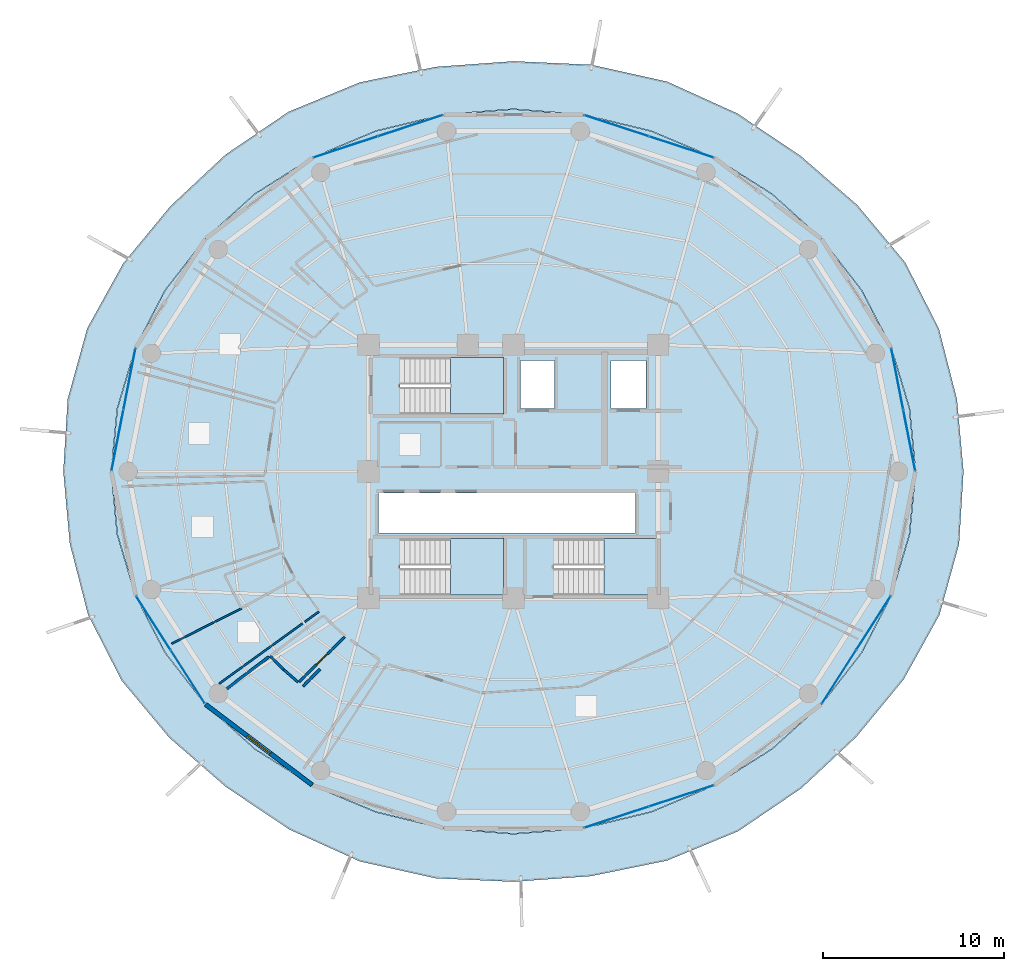
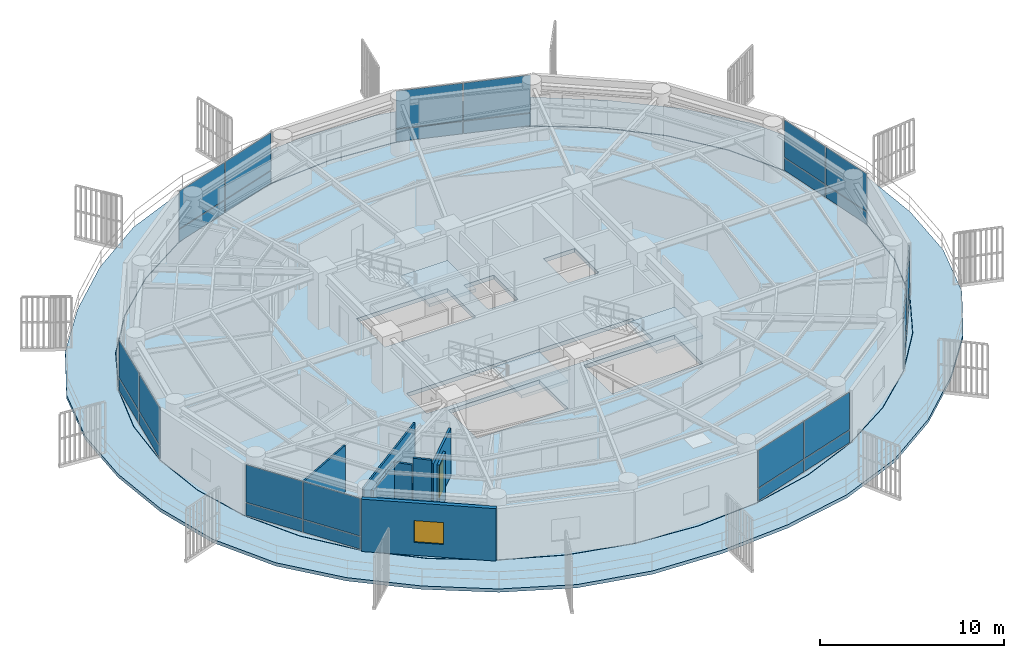
# One storey, part 22 of 30: 28 plates, 8 walls, 5 slabs, 1 door, 1 window, 2 openings, 10 elements without a shape of their own.
"""IFC4 building model written with IfcOpenShell, lengths in metres."""

from ifc_helpers import new_model, si_unit, direction, frame, frame_2d, origin, origin_2d, place, context, subcontext, project, spatial, polyline, rectangle, outline, extrude, source, transform, mapped, material, layer, layer_set, type_object, element, fill, aggregate, save


model = new_model("IFC4")

# Units and contexts
model_context = context("Model", 3, precision=1e-05, world=origin(), true_north=direction((0.0, 1.0)))
body_context = subcontext(model_context, "Body", "Model", "MODEL_VIEW")
ifc_project = project(units=[si_unit("LENGTHUNIT", "METRE"), si_unit("AREAUNIT", "SQUARE_METRE"), si_unit("VOLUMEUNIT", "CUBIC_METRE"), si_unit("PLANEANGLEUNIT", "RADIAN"), si_unit("MASSUNIT", "GRAM", prefix="KILO")], contexts=[model_context])

# Site, building, storey
site_placement = place(None, origin())
site = spatial("IfcSite", under=ifc_project, at=site_placement, CompositionType="ELEMENT")
building_placement = place(site_placement, origin())
building = spatial("IfcBuilding", under=site, at=building_placement, Name="Kelanora Arch Commons", CompositionType="ELEMENT")
storey_placement = place(building_placement, frame((0.0, 0.0, 215.699951171875)))
storey = spatial("IfcBuildingStorey", under=building, at=storey_placement, Name="L55", CompositionType="ELEMENT", Elevation=215.699951171875)

# Stair, slab
ifc_material_1 = material(Name="Concrete C40/50", Category="concrete")
stair_type = type_object("IfcStairType", Name="STR-DL-375", PredefinedType="HALF_TURN_STAIR", material=ifc_material_1)
stair_1_placement = place(storey_placement, origin())
stair_1 = element("IfcStair", 1, at=stair_1_placement, inside=storey, type_object=stair_type, Name="L55 ST-T1", PredefinedType="HALF_TURN_STAIR")
ifc_layer_1 = layer(ifc_material_1, 0.199951171875)
ifc_layer_set_1 = layer_set([ifc_layer_1], Name="Concrete C40/50")
slab_type_1 = type_object("IfcSlabType", Name="SLB-STAIR-LND", PredefinedType="LANDING", material=ifc_layer_set_1)
slab_1_placement = place(storey_placement, frame((0.0, 0.0, 1.675048828125)))
slab_1 = element("IfcSlab", 2, at=slab_1_placement, type_object=slab_type_1, Name="ST-T1 landing 1", PredefinedType="LANDING", context=body_context, shape_type="SweptSolid", body=[
    extrude(outline(polyline([(70.52001953125, 61.179931640625), (73.43994140625, 61.179931640625), (73.43994140625, 64.2900390625), (70.52001953125, 64.2900390625), (70.52001953125, 61.179931640625)])), origin(), (0.0, 0.0, 1.0), 0.199951171875),
])
aggregate(stair_1, [slab_1])

stair_2_placement = place(storey_placement, origin())
stair_2 = element("IfcStair", 3, at=stair_2_placement, inside=storey, type_object=stair_type, Name="L55 ST-T2", PredefinedType="HALF_TURN_STAIR")
slab_2_placement = place(storey_placement, frame((0.0, 0.0, 1.675048828125)))
slab_2 = element("IfcSlab", 4, at=slab_2_placement, type_object=slab_type_1, Name="ST-T2 landing 1", PredefinedType="LANDING", context=body_context, shape_type="SweptSolid", body=[
    extrude(outline(polyline([(79.0, 51.179931640625), (81.919921875, 51.179931640625), (81.919921875, 54.2900390625), (79.0, 54.2900390625), (79.0, 51.179931640625)])), origin(), (0.0, 0.0, 1.0), 0.199951171875),
])
aggregate(stair_2, [slab_2])

stair_3_placement = place(storey_placement, origin())
stair_3 = element("IfcStair", 5, at=stair_3_placement, inside=storey, type_object=stair_type, Name="L55 ST-T3", PredefinedType="HALF_TURN_STAIR")
slab_3_placement = place(storey_placement, frame((0.0, 0.0, 1.675048828125)))
slab_3 = element("IfcSlab", 6, at=slab_3_placement, type_object=slab_type_1, Name="ST-T3 landing 1", PredefinedType="LANDING", context=body_context, shape_type="SweptSolid", body=[
    extrude(outline(polyline([(70.52001953125, 51.179931640625), (73.43994140625, 51.179931640625), (73.43994140625, 54.2900390625), (70.52001953125, 54.2900390625), (70.52001953125, 51.179931640625)])), origin(), (0.0, 0.0, 1.0), 0.199951171875),
])
aggregate(stair_3, [slab_3])

# Slabs
ifc_layer_2 = layer(ifc_material_1, 0.260009765625)
ifc_layer_set_2 = layer_set([ifc_layer_2], Name="Concrete C40/50")
slab_type_2 = type_object("IfcSlabType", Name="SLB-TWR-TYP", PredefinedType="FLOOR", material=ifc_layer_set_2)
slab_4_placement = place(storey_placement, frame((0.0, 0.0, -0.260009765625)))
element("IfcSlab", 7, at=slab_4_placement, inside=storey, type_object=slab_type_2, Name="Tower Floor Slab L55", PredefinedType="FLOOR", context=body_context, shape_type="SweptSolid", body=[
    extrude(outline(polyline([(96.199951171875, 58.0), (95.86279296875, 61.472900390625), (94.861083984375, 64.84033203125), (93.225830078125, 68.0), (91.006103515625, 70.855712890625), (88.27001953125, 73.32080078125), (85.10009765625, 75.320556640625), (81.5927734375, 76.7939453125), (77.85498046875, 77.6962890625), (74.0, 78.0), (70.14501953125, 77.6962890625), (66.4072265625, 76.7939453125), (62.89990234375, 75.320556640625), (59.72998046875, 73.32080078125), (56.993896484375, 70.855712890625), (54.774169921875, 68.0), (53.138916015625, 64.84033203125), (52.13720703125, 61.472900390625), (51.800048828125, 58.0), (52.13720703125, 54.527099609375), (53.138916015625, 51.15966796875), (54.774169921875, 48.0), (56.993896484375, 45.144287109375), (59.72998046875, 42.67919921875), (62.89990234375, 40.679443359375), (66.4072265625, 39.2060546875), (70.14501953125, 38.3037109375), (74.0, 38.0), (77.85498046875, 38.3037109375), (81.5927734375, 39.2060546875), (85.10009765625, 40.679443359375), (88.27001953125, 42.67919921875), (91.006103515625, 45.144287109375), (93.225830078125, 48.0), (94.861083984375, 51.15966796875), (95.86279296875, 54.527099609375), (96.199951171875, 58.0)]), holes=[polyline([(73.431884765625, 51.18798828125), (67.72802734375, 51.18798828125), (67.72802734375, 54.281982421875), (73.431884765625, 54.281982421875), (73.431884765625, 51.18798828125)]), polyline([(76.2080078125, 51.18798828125), (76.2080078125, 54.281982421875), (81.912109375, 54.281982421875), (81.912109375, 51.18798828125), (76.2080078125, 51.18798828125)]), polyline([(66.550048828125, 54.60009765625), (66.550048828125, 56.800048828125), (80.75, 56.800048828125), (80.75, 54.60009765625), (66.550048828125, 54.60009765625)]), polyline([(73.431884765625, 61.18798828125), (67.72802734375, 61.18798828125), (67.72802734375, 64.281982421875), (73.431884765625, 64.281982421875), (73.431884765625, 61.18798828125)]), polyline([(74.3798828125, 61.47998046875), (74.3798828125, 64.1201171875), (76.260009765625, 64.1201171875), (76.260009765625, 61.47998046875), (74.3798828125, 61.47998046875)]), polyline([(79.3798828125, 61.47998046875), (79.3798828125, 64.1201171875), (81.320068359375, 64.1201171875), (81.320068359375, 61.47998046875), (79.3798828125, 61.47998046875)])]), origin(), (0.0, 0.0, 1.0), 0.260009765625),
])
ifc_layer_3 = layer(ifc_material_1, 0.219970703125)
ifc_layer_set_3 = layer_set([ifc_layer_3], Name="Concrete C40/50")
slab_type_3 = type_object("IfcSlabType", Name="SLB-WAVE-BAL", PredefinedType="FLOOR", material=ifc_layer_set_3)
slab_5_placement = place(storey_placement, frame((0.0, 0.0, -0.219970703125)))
element("IfcSlab", 8, at=slab_5_placement, inside=storey, type_object=slab_type_3, Name="Sinusoidal Wave Balcony Slab L55", PredefinedType="FLOOR", context=body_context, shape_type="SweptSolid", body=[
    extrude(outline(polyline([(98.856201171875, 58.0), (98.49560546875, 61.98828125), (97.49169921875, 65.9033203125), (95.636962890625, 69.54541015625), (92.995849609375, 72.708984375), (89.863037109375, 75.42822265625), (86.37353515625, 77.76904296875), (82.489501953125, 79.52880859375), (78.29443359375, 80.46240234375), (74.0, 80.656005859375), (69.72412109375, 80.345703125), (65.523193359375, 79.48974609375), (61.57861328125, 77.861328125), (58.090576171875, 75.48974609375), (55.060546875, 72.65625), (52.450439453125, 69.4892578125), (50.47021484375, 65.91845703125), (49.388427734375, 62.010986328125), (49.143798828125, 58.0), (49.50439453125, 54.01171875), (50.50830078125, 50.0966796875), (52.363037109375, 46.45458984375), (55.004150390625, 43.291015625), (58.136962890625, 40.57177734375), (61.62646484375, 38.23095703125), (65.510498046875, 36.47119140625), (69.70556640625, 35.53759765625), (74.0, 35.343994140625), (78.27587890625, 35.654296875), (82.476806640625, 36.51025390625), (86.42138671875, 38.138671875), (89.909423828125, 40.51025390625), (92.939453125, 43.34375), (95.549560546875, 46.5107421875), (97.52978515625, 50.08154296875), (98.611572265625, 53.989013671875), (98.856201171875, 58.0)]), holes=[polyline([(95.88232421875, 54.523681640625), (94.8798828125, 51.15283203125), (93.2431640625, 47.989990234375), (91.021484375, 45.13134765625), (88.28271484375, 42.663818359375), (85.110107421875, 40.662109375), (81.599609375, 39.1875), (77.8583984375, 38.2841796875), (74.0, 37.97998046875), (70.1416015625, 38.2841796875), (66.400390625, 39.1875), (62.889892578125, 40.662109375), (59.71728515625, 42.663818359375), (56.978515625, 45.13134765625), (54.7568359375, 47.989990234375), (53.1201171875, 51.15283203125), (52.11767578125, 54.523681640625), (51.780029296875, 58.0), (52.11767578125, 61.476318359375), (53.1201171875, 64.84716796875), (54.7568359375, 68.010009765625), (56.978515625, 70.86865234375), (59.71728515625, 73.336181640625), (62.889892578125, 75.337890625), (66.400390625, 76.8125), (70.1416015625, 77.7158203125), (74.0, 78.02001953125), (77.8583984375, 77.7158203125), (81.599609375, 76.8125), (85.110107421875, 75.337890625), (88.28271484375, 73.336181640625), (91.021484375, 70.86865234375), (93.2431640625, 68.010009765625), (94.8798828125, 64.84716796875), (95.88232421875, 61.476318359375), (96.219970703125, 58.0), (95.88232421875, 54.523681640625)])]), origin(), (0.0, 0.0, 1.0), 0.219970703125),
])

# Curtain wall, plates
ifc_material_2 = material(Name="Terracotta ceramic-fritted low-E glass and aluminium", Category="masonry")
ifc_layer_4 = layer(ifc_material_2, 0.175048828125)
ifc_layer_set_4 = layer_set([ifc_layer_4], Name="Terracotta ceramic-fritted low-E glass and aluminium")
curtain_wall_type = type_object("IfcCurtainWallType", Name="CW-SYS-02", PredefinedType="NOTDEFINED", material=ifc_layer_set_4)
curtain_wall_1_placement = place(storey_placement, origin())
curtain_wall_1 = element("IfcCurtainWall", 9, at=curtain_wall_1_placement, inside=storey, type_object=curtain_wall_type, Name="Unitised Curtain Wall L55-B00", PredefinedType="NOTDEFINED")
ifc_material_3 = material(Name="Terracotta ceramic-fritted double glazing", Category="masonry")
ifc_layer_5 = layer(ifc_material_3, 0.028076171875)
ifc_layer_set_5 = layer_set([ifc_layer_5], Name="Terracotta ceramic-fritted double glazing")
plate_type = type_object("IfcPlateType", Name="CWP-FRIT", PredefinedType="CURTAIN_PANEL", material=ifc_layer_set_5)
shared_shape_1 = source(origin(), body_context, "Body", "SweptSolid", [
    extrude(rectangle(XDim=3.380126953125, YDim=0.028076171875, at=origin_2d()), origin(), (0.0, 0.0, 1.0), 0.81005859375),
])
plate_1_placement = place(storey_placement, frame((95.861083984375, 59.732177734375, 0.06005859375), z_axis=(0.0, 0.0, 1.0), x_axis=(-0.192068926335, 0.981381438349, 0.0)))
plate_1 = element("IfcPlate", 10, at=plate_1_placement, type_object=plate_type, Name="CW-02 panel 1.1", PredefinedType="CURTAIN_PANEL", context=body_context, shape_type="MappedRepresentation", body=[
    mapped(shared_shape_1, transform((0.0, 0.0, 0.0), scale=1.0)),
])
plate_2_placement = place(storey_placement, frame((95.2001953125, 63.108154296875, 0.06005859375), z_axis=(0.0, 0.0, 1.0), x_axis=(-0.192068926335, 0.981381438349, 0.0)))
plate_2 = element("IfcPlate", 11, at=plate_2_placement, type_object=plate_type, Name="CW-02 panel 2.1", PredefinedType="CURTAIN_PANEL", context=body_context, shape_type="MappedRepresentation", body=[
    mapped(shared_shape_1, transform((0.0, 0.0, 0.0), scale=1.0)),
])

curtain_wall_2_placement = place(storey_placement, origin())
curtain_wall_2 = element("IfcCurtainWall", 12, at=curtain_wall_2_placement, inside=storey, type_object=curtain_wall_type, Name="Unitised Curtain Wall L55-B08", PredefinedType="NOTDEFINED")
plate_3_placement = place(storey_placement, frame((52.7998046875, 63.108154296875, 0.06005859375), z_axis=(0.0, 0.0, 1.0), x_axis=(-0.192068926335, -0.981381438349, 0.0)))
plate_3 = element("IfcPlate", 13, at=plate_3_placement, type_object=plate_type, Name="CW-02 panel 1.1", PredefinedType="CURTAIN_PANEL", context=body_context, shape_type="MappedRepresentation", body=[
    mapped(shared_shape_1, transform((0.0, 0.0, 0.0), scale=1.0)),
])
plate_4_placement = place(storey_placement, frame((52.138916015625, 59.732177734375, 0.06005859375), z_axis=(0.0, 0.0, 1.0), x_axis=(-0.192068926335, -0.981381438349, 0.0)))
plate_4 = element("IfcPlate", 14, at=plate_4_placement, type_object=plate_type, Name="CW-02 panel 2.1", PredefinedType="CURTAIN_PANEL", context=body_context, shape_type="MappedRepresentation", body=[
    mapped(shared_shape_1, transform((0.0, 0.0, 0.0), scale=1.0)),
])

# Plate
shared_shape_2 = source(origin(), body_context, "Body", "SweptSolid", [
    extrude(rectangle(XDim=3.380126953125, YDim=0.028076171875, at=origin_2d()), origin(), (0.0, 0.0, 1.0), 2.485107421875),
])
plate_5_placement = place(storey_placement, frame((95.861083984375, 59.732177734375, 0.93017578125), z_axis=(0.0, 0.0, 1.0), x_axis=(-0.192068926335, 0.981381438349, 0.0)))
plate_5 = element("IfcPlate", 15, at=plate_5_placement, type_object=plate_type, Name="CW-02 panel 1.2", PredefinedType="CURTAIN_PANEL", context=body_context, shape_type="MappedRepresentation", body=[
    mapped(shared_shape_2, transform((0.0, 0.0, 0.0), scale=1.0)),
])

plate_6_placement = place(storey_placement, frame((95.2001953125, 63.108154296875, 0.93017578125), z_axis=(0.0, 0.0, 1.0), x_axis=(-0.192068926335, 0.981381438349, 0.0)))
plate_6 = element("IfcPlate", 16, at=plate_6_placement, type_object=plate_type, Name="CW-02 panel 2.2", PredefinedType="CURTAIN_PANEL", context=body_context, shape_type="MappedRepresentation", body=[
    mapped(shared_shape_2, transform((0.0, 0.0, 0.0), scale=1.0)),
])

aggregate(curtain_wall_1, [plate_1, plate_5, plate_2, plate_6])

plate_7_placement = place(storey_placement, frame((52.7998046875, 63.108154296875, 0.93017578125), z_axis=(0.0, 0.0, 1.0), x_axis=(-0.192068926335, -0.981381438349, 0.0)))
plate_7 = element("IfcPlate", 17, at=plate_7_placement, type_object=plate_type, Name="CW-02 panel 1.2", PredefinedType="CURTAIN_PANEL", context=body_context, shape_type="MappedRepresentation", body=[
    mapped(shared_shape_2, transform((0.0, 0.0, 0.0), scale=1.0)),
])

plate_8_placement = place(storey_placement, frame((52.138916015625, 59.732177734375, 0.93017578125), z_axis=(0.0, 0.0, 1.0), x_axis=(-0.192068926335, -0.981381438349, 0.0)))
plate_8 = element("IfcPlate", 18, at=plate_8_placement, type_object=plate_type, Name="CW-02 panel 2.2", PredefinedType="CURTAIN_PANEL", context=body_context, shape_type="MappedRepresentation", body=[
    mapped(shared_shape_2, transform((0.0, 0.0, 0.0), scale=1.0)),
])

aggregate(curtain_wall_2, [plate_3, plate_7, plate_4, plate_8])

# Curtain wall, plates
curtain_wall_3_placement = place(storey_placement, origin())
curtain_wall_3 = element("IfcCurtainWall", 19, at=curtain_wall_3_placement, inside=storey, type_object=curtain_wall_type, Name="Unitised Curtain Wall L55-B03", PredefinedType="NOTDEFINED")
shared_shape_3 = source(origin(), body_context, "Body", "SweptSolid", [
    extrude(rectangle(XDim=3.707275390625, YDim=0.028076171875, at=origin_2d()), origin(), (0.0, 0.0, 1.0), 0.81005859375),
])
plate_9_placement = place(storey_placement, frame((83.267333984375, 75.92138671875, 0.06005859375), z_axis=(0.0, 0.0, 1.0), x_axis=(-0.950219124029, 0.311582439059, 0.0)))
plate_9 = element("IfcPlate", 20, at=plate_9_placement, type_object=plate_type, Name="CW-02 panel 1.1", PredefinedType="CURTAIN_PANEL", context=body_context, shape_type="MappedRepresentation", body=[
    mapped(shared_shape_3, transform((0.0, 0.0, 0.0), scale=1.0)),
])
plate_10_placement = place(storey_placement, frame((79.687744140625, 77.09521484375, 0.06005859375), z_axis=(0.0, 0.0, 1.0), x_axis=(-0.950219124029, 0.311582439059, 0.0)))
plate_10 = element("IfcPlate", 21, at=plate_10_placement, type_object=plate_type, Name="CW-02 panel 2.1", PredefinedType="CURTAIN_PANEL", context=body_context, shape_type="MappedRepresentation", body=[
    mapped(shared_shape_3, transform((0.0, 0.0, 0.0), scale=1.0)),
])

curtain_wall_4_placement = place(storey_placement, origin())
curtain_wall_4 = element("IfcCurtainWall", 22, at=curtain_wall_4_placement, inside=storey, type_object=curtain_wall_type, Name="Unitised Curtain Wall L55-B05", PredefinedType="NOTDEFINED")
plate_11_placement = place(storey_placement, frame((68.312255859375, 77.09521484375, 0.06005859375), z_axis=(0.0, 0.0, 1.0), x_axis=(-0.950219124029, -0.311582439059, 0.0)))
plate_11 = element("IfcPlate", 23, at=plate_11_placement, type_object=plate_type, Name="CW-02 panel 1.1", PredefinedType="CURTAIN_PANEL", context=body_context, shape_type="MappedRepresentation", body=[
    mapped(shared_shape_3, transform((0.0, 0.0, 0.0), scale=1.0)),
])
plate_12_placement = place(storey_placement, frame((64.732666015625, 75.92138671875, 0.06005859375), z_axis=(0.0, 0.0, 1.0), x_axis=(-0.950219124029, -0.311582439059, 0.0)))
plate_12 = element("IfcPlate", 24, at=plate_12_placement, type_object=plate_type, Name="CW-02 panel 2.1", PredefinedType="CURTAIN_PANEL", context=body_context, shape_type="MappedRepresentation", body=[
    mapped(shared_shape_3, transform((0.0, 0.0, 0.0), scale=1.0)),
])

curtain_wall_5_placement = place(storey_placement, origin())
curtain_wall_5 = element("IfcCurtainWall", 25, at=curtain_wall_5_placement, inside=storey, type_object=curtain_wall_type, Name="Unitised Curtain Wall L55-B14", PredefinedType="NOTDEFINED")
plate_13_placement = place(storey_placement, frame((79.687744140625, 38.90478515625, 0.06005859375), z_axis=(0.0, 0.0, 1.0), x_axis=(0.950219124029, 0.311582439059, 0.0)))
plate_13 = element("IfcPlate", 26, at=plate_13_placement, type_object=plate_type, Name="CW-02 panel 1.1", PredefinedType="CURTAIN_PANEL", context=body_context, shape_type="MappedRepresentation", body=[
    mapped(shared_shape_3, transform((0.0, 0.0, 0.0), scale=1.0)),
])
plate_14_placement = place(storey_placement, frame((83.267333984375, 40.07861328125, 0.06005859375), z_axis=(0.0, 0.0, 1.0), x_axis=(0.950219124029, 0.311582439059, 0.0)))
plate_14 = element("IfcPlate", 27, at=plate_14_placement, type_object=plate_type, Name="CW-02 panel 2.1", PredefinedType="CURTAIN_PANEL", context=body_context, shape_type="MappedRepresentation", body=[
    mapped(shared_shape_3, transform((0.0, 0.0, 0.0), scale=1.0)),
])

# Plate
shared_shape_4 = source(origin(), body_context, "Body", "SweptSolid", [
    extrude(rectangle(XDim=3.707275390625, YDim=0.028076171875, at=origin_2d()), origin(), (0.0, 0.0, 1.0), 2.485107421875),
])
plate_15_placement = place(storey_placement, frame((83.267333984375, 75.92138671875, 0.93017578125), z_axis=(0.0, 0.0, 1.0), x_axis=(-0.950219124029, 0.311582439059, 0.0)))
plate_15 = element("IfcPlate", 28, at=plate_15_placement, type_object=plate_type, Name="CW-02 panel 1.2", PredefinedType="CURTAIN_PANEL", context=body_context, shape_type="MappedRepresentation", body=[
    mapped(shared_shape_4, transform((0.0, 0.0, 0.0), scale=1.0)),
])

plate_16_placement = place(storey_placement, frame((79.687744140625, 77.09521484375, 0.93017578125), z_axis=(0.0, 0.0, 1.0), x_axis=(-0.950219124029, 0.311582439059, 0.0)))
plate_16 = element("IfcPlate", 29, at=plate_16_placement, type_object=plate_type, Name="CW-02 panel 2.2", PredefinedType="CURTAIN_PANEL", context=body_context, shape_type="MappedRepresentation", body=[
    mapped(shared_shape_4, transform((0.0, 0.0, 0.0), scale=1.0)),
])

aggregate(curtain_wall_3, [plate_9, plate_15, plate_10, plate_16])

plate_17_placement = place(storey_placement, frame((68.312255859375, 77.09521484375, 0.93017578125), z_axis=(0.0, 0.0, 1.0), x_axis=(-0.950219124029, -0.311582439059, 0.0)))
plate_17 = element("IfcPlate", 30, at=plate_17_placement, type_object=plate_type, Name="CW-02 panel 1.2", PredefinedType="CURTAIN_PANEL", context=body_context, shape_type="MappedRepresentation", body=[
    mapped(shared_shape_4, transform((0.0, 0.0, 0.0), scale=1.0)),
])

plate_18_placement = place(storey_placement, frame((64.732666015625, 75.92138671875, 0.93017578125), z_axis=(0.0, 0.0, 1.0), x_axis=(-0.950219124029, -0.311582439059, 0.0)))
plate_18 = element("IfcPlate", 31, at=plate_18_placement, type_object=plate_type, Name="CW-02 panel 2.2", PredefinedType="CURTAIN_PANEL", context=body_context, shape_type="MappedRepresentation", body=[
    mapped(shared_shape_4, transform((0.0, 0.0, 0.0), scale=1.0)),
])

aggregate(curtain_wall_4, [plate_11, plate_17, plate_12, plate_18])

plate_19_placement = place(storey_placement, frame((79.687744140625, 38.90478515625, 0.93017578125), z_axis=(0.0, 0.0, 1.0), x_axis=(0.950219124029, 0.311582439059, 0.0)))
plate_19 = element("IfcPlate", 32, at=plate_19_placement, type_object=plate_type, Name="CW-02 panel 1.2", PredefinedType="CURTAIN_PANEL", context=body_context, shape_type="MappedRepresentation", body=[
    mapped(shared_shape_4, transform((0.0, 0.0, 0.0), scale=1.0)),
])

plate_20_placement = place(storey_placement, frame((83.267333984375, 40.07861328125, 0.93017578125), z_axis=(0.0, 0.0, 1.0), x_axis=(0.950219124029, 0.311582439059, 0.0)))
plate_20 = element("IfcPlate", 33, at=plate_20_placement, type_object=plate_type, Name="CW-02 panel 2.2", PredefinedType="CURTAIN_PANEL", context=body_context, shape_type="MappedRepresentation", body=[
    mapped(shared_shape_4, transform((0.0, 0.0, 0.0), scale=1.0)),
])

aggregate(curtain_wall_5, [plate_13, plate_19, plate_14, plate_20])

# Curtain wall, plates
curtain_wall_6_placement = place(storey_placement, origin())
curtain_wall_6 = element("IfcCurtainWall", 34, at=curtain_wall_6_placement, inside=storey, type_object=curtain_wall_type, Name="Unitised Curtain Wall L55-B10", PredefinedType="NOTDEFINED")
shared_shape_5 = source(origin(), body_context, "Body", "SweptSolid", [
    extrude(rectangle(XDim=3.46728515625, YDim=0.028076171875, at=origin_2d()), origin(), (0.0, 0.0, 1.0), 0.81005859375),
])
plate_21_placement = place(storey_placement, frame((54.11474609375, 49.63671875, 0.06005859375), z_axis=(0.0, 0.0, 1.0), x_axis=(0.539559338994, -0.84194757539, 0.0)))
plate_21 = element("IfcPlate", 35, at=plate_21_placement, type_object=plate_type, Name="CW-02 panel 1.1", PredefinedType="CURTAIN_PANEL", context=body_context, shape_type="MappedRepresentation", body=[
    mapped(shared_shape_5, transform((0.0, 0.0, 0.0), scale=1.0)),
])
plate_22_placement = place(storey_placement, frame((56.017822265625, 46.6669921875, 0.06005859375), z_axis=(0.0, 0.0, 1.0), x_axis=(0.539559338994, -0.84194757539, 0.0)))
plate_22 = element("IfcPlate", 36, at=plate_22_placement, type_object=plate_type, Name="CW-02 panel 2.1", PredefinedType="CURTAIN_PANEL", context=body_context, shape_type="MappedRepresentation", body=[
    mapped(shared_shape_5, transform((0.0, 0.0, 0.0), scale=1.0)),
])

curtain_wall_7_placement = place(storey_placement, origin())
curtain_wall_7 = element("IfcCurtainWall", 37, at=curtain_wall_7_placement, inside=storey, type_object=curtain_wall_type, Name="Unitised Curtain Wall L55-B16", PredefinedType="NOTDEFINED")
plate_23_placement = place(storey_placement, frame((91.982177734375, 46.6669921875, 0.06005859375), z_axis=(0.0, 0.0, 1.0), x_axis=(0.539559338994, 0.84194757539, 0.0)))
plate_23 = element("IfcPlate", 38, at=plate_23_placement, type_object=plate_type, Name="CW-02 panel 1.1", PredefinedType="CURTAIN_PANEL", context=body_context, shape_type="MappedRepresentation", body=[
    mapped(shared_shape_5, transform((0.0, 0.0, 0.0), scale=1.0)),
])
plate_24_placement = place(storey_placement, frame((93.88525390625, 49.63671875, 0.06005859375), z_axis=(0.0, 0.0, 1.0), x_axis=(0.539559338994, 0.84194757539, 0.0)))
plate_24 = element("IfcPlate", 39, at=plate_24_placement, type_object=plate_type, Name="CW-02 panel 2.1", PredefinedType="CURTAIN_PANEL", context=body_context, shape_type="MappedRepresentation", body=[
    mapped(shared_shape_5, transform((0.0, 0.0, 0.0), scale=1.0)),
])

# Plate
shared_shape_6 = source(origin(), body_context, "Body", "SweptSolid", [
    extrude(rectangle(XDim=3.46728515625, YDim=0.028076171875, at=origin_2d()), origin(), (0.0, 0.0, 1.0), 2.485107421875),
])
plate_25_placement = place(storey_placement, frame((54.11474609375, 49.63671875, 0.93017578125), z_axis=(0.0, 0.0, 1.0), x_axis=(0.539559338994, -0.84194757539, 0.0)))
plate_25 = element("IfcPlate", 40, at=plate_25_placement, type_object=plate_type, Name="CW-02 panel 1.2", PredefinedType="CURTAIN_PANEL", context=body_context, shape_type="MappedRepresentation", body=[
    mapped(shared_shape_6, transform((0.0, 0.0, 0.0), scale=1.0)),
])

plate_26_placement = place(storey_placement, frame((56.017822265625, 46.6669921875, 0.93017578125), z_axis=(0.0, 0.0, 1.0), x_axis=(0.539559338994, -0.84194757539, 0.0)))
plate_26 = element("IfcPlate", 41, at=plate_26_placement, type_object=plate_type, Name="CW-02 panel 2.2", PredefinedType="CURTAIN_PANEL", context=body_context, shape_type="MappedRepresentation", body=[
    mapped(shared_shape_6, transform((0.0, 0.0, 0.0), scale=1.0)),
])

aggregate(curtain_wall_6, [plate_21, plate_25, plate_22, plate_26])

plate_27_placement = place(storey_placement, frame((91.982177734375, 46.6669921875, 0.93017578125), z_axis=(0.0, 0.0, 1.0), x_axis=(0.539559338994, 0.84194757539, 0.0)))
plate_27 = element("IfcPlate", 42, at=plate_27_placement, type_object=plate_type, Name="CW-02 panel 1.2", PredefinedType="CURTAIN_PANEL", context=body_context, shape_type="MappedRepresentation", body=[
    mapped(shared_shape_6, transform((0.0, 0.0, 0.0), scale=1.0)),
])

plate_28_placement = place(storey_placement, frame((93.88525390625, 49.63671875, 0.93017578125), z_axis=(0.0, 0.0, 1.0), x_axis=(0.539559338994, 0.84194757539, 0.0)))
plate_28 = element("IfcPlate", 43, at=plate_28_placement, type_object=plate_type, Name="CW-02 panel 2.2", PredefinedType="CURTAIN_PANEL", context=body_context, shape_type="MappedRepresentation", body=[
    mapped(shared_shape_6, transform((0.0, 0.0, 0.0), scale=1.0)),
])

aggregate(curtain_wall_7, [plate_23, plate_27, plate_24, plate_28])

# Walls
ifc_material_4 = material(Name="Autoclaved aerated concrete blockwork with fire plaster", Category="masonry")
ifc_layer_6 = layer(ifc_material_4, 0.14990234375)
ifc_layer_set_6 = layer_set([ifc_layer_6], Name="Autoclaved aerated concrete blockwork with fire plaster")
wall_type_1 = type_object("IfcWallType", Name="W-COMP-150", PredefinedType="PARTITIONING", material=ifc_layer_set_6)
wall_1_placement = place(storey_placement, frame((58.17724609375, 46.006591796875, 0.0), z_axis=(0.0, 0.0, 1.0), x_axis=(0.796666201995, 0.604419525329, 0.0)))
element("IfcWall", 44, at=wall_1_placement, inside=storey, type_object=wall_type_1, Name="Co-Living Studio L55-06 Enclosure Partition 5", PredefinedType="PARTITIONING", context=body_context, shape_type="SweptSolid", body=[
    extrude(rectangle(XDim=2.91064453125, YDim=0.14990234375, at=frame_2d((1.455322265625, 0.0))), origin(), (0.0, 0.0, 1.0), 3.025146484375),
])
wall_2_placement = place(storey_placement, frame((62.389892578125, 46.13671875, 0.0), z_axis=(0.0, 0.0, 1.0), x_axis=(0.699044346204, 0.715078318816, 0.0)))
element("IfcWall", 45, at=wall_2_placement, inside=storey, type_object=wall_type_1, Name="Co-Living Studio L55-06 Enclosure Partition 7", PredefinedType="PARTITIONING", context=body_context, shape_type="SweptSolid", body=[
    extrude(rectangle(XDim=1.32470703125, YDim=0.14990234375, at=frame_2d((0.662353515625, 0.0))), origin(), (0.0, 0.0, 1.0), 3.175048828125),
])

# Wall, opening, window
ifc_material_5 = material(Name="Precast concrete C40/50 upper-zone terracotta rainscreen", Category="masonry")
ifc_layer_7 = layer(ifc_material_5, 0.239990234375)
ifc_layer_set_7 = layer_set([ifc_layer_7], Name="Precast concrete C40/50 upper-zone terracotta rainscreen")
wall_type_2 = type_object("IfcWallType", Name="W-EXT-TC2", PredefinedType="SOLIDWALL", material=ifc_layer_set_7)
wall_3_placement = place(storey_placement, frame((57.005859375, 45.13525390625, 0.0), z_axis=(0.0, 0.0, 1.0), x_axis=(0.797701674595, -0.603052268338, 0.0)))
wall_3 = element("IfcWall", 46, at=wall_3_placement, inside=storey, type_object=wall_type_2, Name="Terracotta Exterior Wall L55-B11", PredefinedType="SOLIDWALL", context=body_context, shape_type="SweptSolid", body=[
    extrude(rectangle(XDim=7.373779296875, YDim=0.239990234375, at=frame_2d((3.68701171875, 0.0))), origin(), (0.0, 0.0, 1.0), 3.47509765625),
])
opening_1_placement = place(wall_3_placement, frame((2.886962890625, 0.0, 0.85009765625)))
opening_1 = element("IfcOpeningElement", 47, at=opening_1_placement, cuts=wall_3, Name="Opening WN-01", PredefinedType="OPENING", context=body_context, shape_type="SweptSolid", body=[
    extrude(rectangle(XDim=1.60009765625, YDim=1.449951171875, at=frame_2d((0.800048828125, 0.72509765625))), frame((0.0, 0.1298828125, 0.0), z_axis=(0.0, -1.0, 0.0), x_axis=(1.0, 0.0, 0.0)), (0.0, 0.0, 1.0), 0.260009765625),
])
ifc_material_6 = material(Name="Terracotta-anodised aluminium frame with operable low-E glazing", Category="masonry")
window_type = type_object("IfcWindowType", Name="WIN-CL-18", PartitioningType="DOUBLE_PANEL_VERTICAL", PredefinedType="WINDOW", material=ifc_material_6)
window_placement = place(opening_1_placement, origin())
window = element("IfcWindow", 48, at=window_placement, inside=storey, type_object=window_type, Name="Co-Living Operable Window L55-B11", OverallHeight=1.449951171875, OverallWidth=1.60009765625, PartitioningType="SINGLE_PANEL", PredefinedType="WINDOW", context=body_context, shape_type="SweptSolid", body=[
    extrude(rectangle(XDim=1.60009765625, YDim=1.449951171875, at=frame_2d((0.800048828125, 0.72509765625))), frame((0.0, 0.030029296875, 0.0), z_axis=(0.0, -1.0, 0.0), x_axis=(1.0, 0.0, 0.0)), (0.0, 0.0, 1.0), 0.06005859375),
])
fill(opening_1, window)

# Walls
ifc_material_7 = material(Name="Lightweight fire-rated acoustic stud partition")
ifc_layer_8 = layer(ifc_material_7, 0.10009765625)
ifc_layer_set_8 = layer_set([ifc_layer_8], Name="Lightweight fire-rated acoustic stud partition")
wall_type_3 = type_object("IfcWallType", Name="W-PART-100", PredefinedType="PARTITIONING", material=ifc_layer_set_8)
wall_4_placement = place(storey_placement, frame((63.259521484375, 50.258544921875, 0.0), z_axis=(0.0, 0.0, 1.0), x_axis=(-0.810850730514, -0.585253016076, 0.0)))
element("IfcWall", 49, at=wall_4_placement, inside=storey, type_object=wall_type_3, Name="Tutorial Study Alcove L55-05 Enclosure Partition 2", PredefinedType="PARTITIONING", context=body_context, shape_type="SweptSolid", body=[
    extrude(rectangle(XDim=6.79296875, YDim=0.10009765625, at=frame_2d((3.396484375, 0.0))), origin(), (0.0, 0.0, 1.0), 3.175048828125),
])
wall_5_placement = place(storey_placement, frame((55.124755859375, 48.490966796875, 0.0), z_axis=(0.0, 0.0, 1.0), x_axis=(0.892902240534, 0.450250584507, 0.0)))
element("IfcWall", 50, at=wall_5_placement, inside=storey, type_object=wall_type_3, Name="Tutorial Study Alcove L55-05 Enclosure Partition 4", PredefinedType="PARTITIONING", context=body_context, shape_type="SweptSolid", body=[
    extrude(rectangle(XDim=4.33740234375, YDim=0.10009765625, at=frame_2d((2.168701171875, 0.0))), origin(), (0.0, 0.0, 1.0), 3.074951171875),
])

# Wall, opening, door
ifc_material_8 = material(Name="Moisture-resistant fire-rated cement-board plumbing wall")
ifc_layer_9 = layer(ifc_material_8, 0.1298828125)
ifc_layer_set_9 = layer_set([ifc_layer_9], Name="Moisture-resistant fire-rated cement-board plumbing wall")
wall_type_4 = type_object("IfcWallType", Name="W-WET-120", PredefinedType="PLUMBINGWALL", material=ifc_layer_set_9)
wall_6_placement = place(storey_placement, frame((64.686279296875, 48.863037109375, 0.0), z_axis=(0.0, 0.0, 1.0), x_axis=(-0.713685369918, -0.700466410875, 0.0)))
wall_6 = element("IfcWall", 51, at=wall_6_placement, inside=storey, type_object=wall_type_4, Name="En-Suite Shower WC L55-06 Entry Partition", PredefinedType="PLUMBINGWALL", context=body_context, shape_type="SweptSolid", body=[
    extrude(rectangle(XDim=3.527587890625, YDim=0.1298828125, at=frame_2d((1.763671875, 0.0))), origin(), (0.0, 0.0, 1.0), 3.175048828125),
])
opening_2_placement = place(wall_6_placement, frame((1.333984375, 0.0, 0.0)))
opening_2 = element("IfcOpeningElement", 52, at=opening_2_placement, cuts=wall_6, Name="Opening D-BT1", PredefinedType="OPENING", context=body_context, shape_type="SweptSolid", body=[
    extrude(rectangle(XDim=0.860107421875, YDim=2.050048828125, at=frame_2d((0.43017578125, 1.02490234375))), frame((0.0, 0.074951171875, 0.0), z_axis=(0.0, -1.0, 0.0), x_axis=(1.0, 0.0, 0.0)), (0.0, 0.0, 1.0), 0.14990234375),
])
ifc_material_9 = material(Name="Moisture-sealed fire-rated accessible bathroom door")
door_type = type_object("IfcDoorType", Name="D-BATH-85", OperationType="NOTDEFINED", PredefinedType="DOOR", material=ifc_material_9)
door_placement = place(opening_2_placement, origin())
door = element("IfcDoor", 53, at=door_placement, inside=storey, type_object=door_type, Name="En-Suite Shower WC L55-06 Door", OperationType="SINGLE_SWING_RIGHT", OverallHeight=2.050048828125, OverallWidth=0.860107421875, PredefinedType="DOOR", context=body_context, shape_type="SweptSolid", body=[
    extrude(rectangle(XDim=0.860107421875, YDim=2.050048828125, at=frame_2d((0.43017578125, 1.02490234375))), frame((0.0, 0.02490234375, 0.0), z_axis=(0.0, -1.0, 0.0), x_axis=(1.0, 0.0, 0.0)), (0.0, 0.0, 1.0), 0.050048828125),
])
fill(opening_2, door)

# Walls
wall_7_placement = place(storey_placement, frame((62.111083984375, 46.36328125, 0.0), z_axis=(0.0, 0.0, 1.0), x_axis=(-0.751599507382, 0.659619724162, 0.0)))
element("IfcWall", 54, at=wall_7_placement, inside=storey, type_object=wall_type_4, Name="En-Suite Shower WC L55-06 Enclosure Partition 4", PredefinedType="PLUMBINGWALL", context=body_context, shape_type="SweptSolid", body=[
    extrude(rectangle(XDim=1.037841796875, YDim=0.1298828125, at=frame_2d((0.51904296875, 0.0))), origin(), (0.0, 0.0, 1.0), 3.47998046875),
])
wall_8_placement = place(storey_placement, frame((61.3017578125, 47.0751953125, 0.0), z_axis=(0.0, 0.0, 1.0), x_axis=(-0.707936648292, 0.706275938996, 0.0)))
element("IfcWall", 55, at=wall_8_placement, inside=storey, type_object=wall_type_4, Name="En-Suite Shower WC L55-06 Enclosure Partition 5", PredefinedType="PLUMBINGWALL", context=body_context, shape_type="SweptSolid", body=[
    extrude(rectangle(XDim=1.029052734375, YDim=0.1298828125, at=frame_2d((0.5146484375, 0.0))), origin(), (0.0, 0.0, 1.0), 3.025146484375),
])

save(model, "model.ifc")
